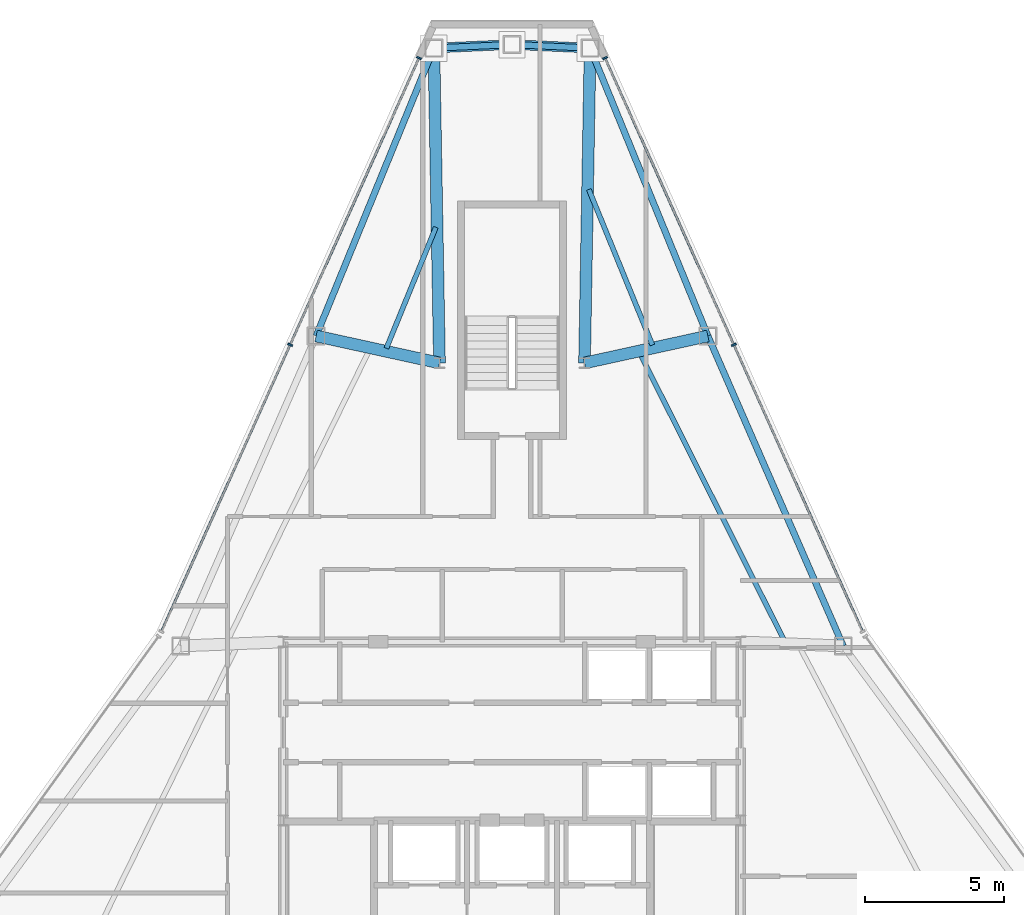
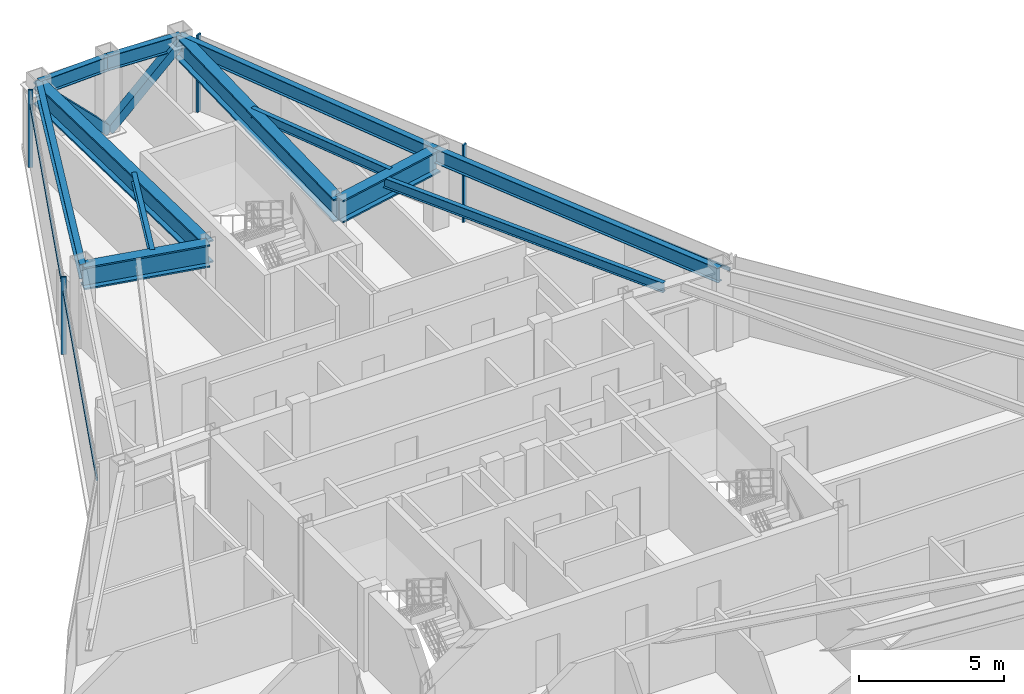
# One storey, part 7 of 12: 12 beams, 8 members, 2 elements without a shape of their own.
"""IFC4 building model written with IfcOpenShell, lengths in metres."""

import ifcopenshell
import ifcopenshell.guid

model = None  # the IFC model being written
_history = None  # IfcOwnerHistory: only IFC2X3 demands one
_inside = {}  # id of a spatial element -> (the spatial element, [elements in it])
_under = {}  # id of a project, library or spatial element -> (it, [spatial elements below it])
_declared = {}  # id of a project -> (the project, [libraries it declares])
_typed = {}  # id of a type object -> (the type object, [elements of that type])
_made_of = {}  # id of a material, layer set ... -> (it, [elements and type objects made of it])


def new_model(schema):
    """Start an empty IFC model of exactly this schema.

    Asked for "IFC4X3", IfcOpenShell would pick the latest addendum, in which some entities
    have other attributes; the version numbers below select the first issue.
    IFC2X3 requires an IfcOwnerHistory on every rooted entity: one is made here for all.
    """
    global model, _history
    if schema == "IFC4X3":
        model = ifcopenshell.file(schema_version=(4, 3, 0, 0))
    else:
        model = ifcopenshell.file(schema=schema)
    _inside.clear()
    _under.clear()
    _declared.clear()
    _typed.clear()
    _made_of.clear()
    _history = None
    if model.schema == "IFC2X3":
        org = make("IfcOrganization", Name="unknown")
        user = make(
            "IfcPersonAndOrganization",
            ThePerson=make("IfcPerson", FamilyName="unknown"),
            TheOrganization=org,
        )
        app = make(
            "IfcApplication",
            ApplicationDeveloper=org,
            Version="unknown",
            ApplicationFullName="unknown",
            ApplicationIdentifier="unknown",
        )
        _history = make(
            "IfcOwnerHistory",
            OwningUser=user,
            OwningApplication=app,
            ChangeAction="ADDED",
            CreationDate=0,
        )
    return model


def make(cls, **values):
    """One entity of the class cls with the attributes given. An attribute that is None is left unset."""
    return model.create_entity(
        cls, **{name: value for name, value in values.items() if value is not None}
    )


def rooted(cls, **values):
    """An entity with a GlobalId (a new one), such as an element, a storey or a relation."""
    return make(cls, GlobalId=ifcopenshell.guid.new(), OwnerHistory=_history, **values)


def si_unit(unit_type, name, prefix=None):
    """IfcSIUnit, for example si_unit("LENGTHUNIT", "METRE", prefix="MILLI")."""
    return make("IfcSIUnit", UnitType=unit_type, Prefix=prefix, Name=name)


def assignment(units):
    """IfcUnitAssignment: the units of a project."""
    return None if units is None else make("IfcUnitAssignment", Units=units)


def point(xyz):
    """IfcCartesianPoint."""
    return None if xyz is None else make("IfcCartesianPoint", Coordinates=xyz)


def direction(xyz):
    """IfcDirection."""
    return None if xyz is None else make("IfcDirection", DirectionRatios=xyz)


def frame(location, z_axis=None, x_axis=None):
    """IfcAxis2Placement3D, a coordinate frame: its origin and axes. An axis left out is left unset."""
    return make(
        "IfcAxis2Placement3D",
        Location=point(location),
        Axis=direction(z_axis),
        RefDirection=direction(x_axis),
    )


def frame_2d(location, x_axis=None):
    """IfcAxis2Placement2D, a coordinate frame in the plane: its origin and x axis."""
    return make(
        "IfcAxis2Placement2D", Location=point(location), RefDirection=direction(x_axis)
    )


def origin():
    """The frame at (0, 0, 0) with its axes left unset."""
    return frame((0.0, 0.0, 0.0))


def origin_2d():
    """The frame at (0, 0) in the plane with its x axis left unset."""
    return frame_2d((0.0, 0.0))


def place(relative_to, where):
    """IfcLocalPlacement: puts the frame where relative to a parent placement (None: the world)."""
    return make(
        "IfcLocalPlacement", PlacementRelTo=relative_to, RelativePlacement=where
    )


def context(
    kind, dimensions, precision=None, world=None, true_north=None, identifier=None
):
    """IfcGeometricRepresentationContext, for example the 3D "Model" context."""
    return make(
        "IfcGeometricRepresentationContext",
        ContextIdentifier=identifier,
        ContextType=kind,
        CoordinateSpaceDimension=dimensions,
        Precision=precision,
        WorldCoordinateSystem=world,
        TrueNorth=true_north,
    )


def subcontext(parent, identifier, kind, view, scale=None):
    """IfcGeometricRepresentationSubContext, for example "Body" below "Model"."""
    return make(
        "IfcGeometricRepresentationSubContext",
        ContextIdentifier=identifier,
        ContextType=kind,
        ParentContext=parent,
        TargetScale=scale,
        TargetView=view,
    )


def project(units=None, contexts=None):
    """IfcProject with its units and contexts."""
    return rooted(
        "IfcProject",
        Name="project",
        RepresentationContexts=contexts,
        UnitsInContext=assignment(units),
    )


def spatial(cls, under=None, at=None, **own):
    """A site, building, storey or space (cls), placed at a placement, below another one or the project."""
    s = rooted(cls, ObjectPlacement=at, **own)
    if under is not None:
        _under.setdefault(under.id(), (under, []))[1].append(s)
    return s


def profile(cls, at=None, kind="AREA", **sizes):
    """A parametric profile (cls). Its sizes go by their IFC names, for example OverallWidth=200.0."""
    return make(cls, ProfileType=kind, Position=at, **sizes)


def rectangle(**sizes):
    """IfcRectangleProfileDef."""
    return profile("IfcRectangleProfileDef", **sizes)


def hollow_rectangle(**sizes):
    """IfcRectangleHollowProfileDef."""
    return profile("IfcRectangleHollowProfileDef", **sizes)


def i_section(**sizes):
    """IfcIShapeProfileDef."""
    return profile("IfcIShapeProfileDef", **sizes)


def extrude(swept, where, along, depth):
    """IfcExtrudedAreaSolid: the profile swept, set in the frame where, extruded along a direction by depth."""
    return make(
        "IfcExtrudedAreaSolid",
        SweptArea=swept,
        Position=where,
        ExtrudedDirection=direction(along),
        Depth=depth,
    )


def shape(context_of_items, identifier, shape_type, items):
    """IfcShapeRepresentation: the items that make up one representation, for example the "Body"."""
    return make(
        "IfcShapeRepresentation",
        ContextOfItems=context_of_items,
        RepresentationIdentifier=identifier,
        RepresentationType=shape_type,
        Items=items,
    )


def source(mapping_origin, context_of_items, identifier, shape_type, items):
    """IfcRepresentationMap: a shape defined once, which mapped items show again and again."""
    return make(
        "IfcRepresentationMap",
        MappingOrigin=mapping_origin,
        MappedRepresentation=shape(context_of_items, identifier, shape_type, items),
    )


def transform(
    local_origin,
    x_axis=None,
    y_axis=None,
    z_axis=None,
    scale=None,
    scale2=None,
    scale3=None,
    uniform=True,
):
    """IfcCartesianTransformationOperator3D, or its non-uniform kind. x_axis, y_axis, z_axis: its Axis1, 2, 3."""
    if uniform:
        return make(
            "IfcCartesianTransformationOperator3D",
            Axis1=direction(x_axis),
            Axis2=direction(y_axis),
            LocalOrigin=point(local_origin),
            Scale=scale,
            Axis3=direction(z_axis),
        )
    return make(
        "IfcCartesianTransformationOperator3DnonUniform",
        Axis1=direction(x_axis),
        Axis2=direction(y_axis),
        LocalOrigin=point(local_origin),
        Scale=scale,
        Axis3=direction(z_axis),
        Scale2=scale2,
        Scale3=scale3,
    )


def mapped(mapping_source, mapping_target):
    """IfcMappedItem: shows the shape of a source again, moved by a transform."""
    return make(
        "IfcMappedItem", MappingSource=mapping_source, MappingTarget=mapping_target
    )


def material(Name=None, Category=None):
    """IfcMaterial."""
    return make("IfcMaterial", Name=Name, Category=Category)


def layer(
    of_material, thickness, ventilated=None, Name=None, Category=None, Priority=None
):
    """IfcMaterialLayer: one layer of a wall or slab, of a material (None: an air gap)."""
    return make(
        "IfcMaterialLayer",
        Material=of_material,
        LayerThickness=thickness,
        IsVentilated=ventilated,
        Name=Name,
        Category=Category,
        Priority=Priority,
    )


def layer_set(layers, Name=None):
    """IfcMaterialLayerSet."""
    return make("IfcMaterialLayerSet", MaterialLayers=layers, LayerSetName=Name)


def material_profile(
    of_material, cross_section, Name=None, Category=None, Priority=None
):
    """IfcMaterialProfile: a cross section and its material."""
    return make(
        "IfcMaterialProfile",
        Name=Name,
        Material=of_material,
        Profile=cross_section,
        Priority=Priority,
        Category=Category,
    )


def profile_set(profiles, Name=None, composite=None):
    """IfcMaterialProfileSet."""
    return make(
        "IfcMaterialProfileSet",
        Name=Name,
        MaterialProfiles=profiles,
        CompositeProfile=composite,
    )


def made_of(thing, what):
    """Note that an element or type object is made of a material, layer set ...; save() writes the relation."""
    if what is not None:
        _made_of.setdefault(what.id(), (what, []))[1].append(thing)
    return thing


def type_object(cls, material=None, **own):
    """A type object (cls), such as IfcWallType, which elements share."""
    return made_of(rooted(cls, **own), material)


def type_shapes(of_type, sources):
    """Give a type object the sources (RepresentationMaps) that its elements show as mapped items."""
    of_type.RepresentationMaps = sources


def element(
    cls,
    number,
    at=None,
    inside=None,
    cuts=None,
    type_object=None,
    material=None,
    context=None,
    identifier="Body",
    shape_type=None,
    held_by="IfcProductDefinitionShape",
    body=None,
    shapes=None,
    **own,
):
    """One element of the class cls, such as IfcWall. Its Tag is "e" and its number.

    at: its placement. inside: the storey or other place that contains it. cuts: it is an
    opening in that element (IfcRelVoidsElement). A single representation is given by context,
    identifier, shape_type and body (its items); several are given by shapes. held_by: the class
    of the entity that holds the representations. save() writes the other relations.
    """
    e = rooted(cls, Tag="e%d" % number, ObjectPlacement=at, **own)
    if body is not None:
        shapes = [shape(context, identifier, shape_type, body)]
    if shapes is not None:
        e.Representation = make(held_by, Representations=shapes)
    if inside is not None:
        _inside.setdefault(inside.id(), (inside, []))[1].append(e)
    if cuts is not None:
        rooted(
            "IfcRelVoidsElement", RelatingBuildingElement=cuts, RelatedOpeningElement=e
        )
    if type_object is not None:
        _typed.setdefault(type_object.id(), (type_object, []))[1].append(e)
    return made_of(e, material)


def aggregate(whole, parts):
    """IfcRelAggregates: a whole, such as a stair, and the parts it consists of."""
    return rooted("IfcRelAggregates", RelatingObject=whole, RelatedObjects=parts)


def save(model, path):
    """Write the relations noted so far, then the file.

    IfcRelAggregates (storeys below a building ...), IfcRelContainedInSpatialStructure (elements
    in a storey), IfcRelDefinesByType, IfcRelAssociatesMaterial and IfcRelDeclares: one each for
    every whole, place, type object, material and project.
    """
    for whole, parts in _under.values():
        aggregate(whole, parts)
    for where, things in _inside.values():
        rooted(
            "IfcRelContainedInSpatialStructure",
            RelatedElements=things,
            RelatingStructure=where,
        )
    for kind, things in _typed.values():
        rooted("IfcRelDefinesByType", RelatedObjects=things, RelatingType=kind)
    for what, things in _made_of.values():
        rooted("IfcRelAssociatesMaterial", RelatedObjects=things, RelatingMaterial=what)
    for by, libraries in _declared.values():
        rooted("IfcRelDeclares", RelatingContext=by, RelatedDefinitions=libraries)
    model.write(path)


model = new_model("IFC4")

# Units and contexts
model_context = context("Model", 3, precision=1e-05, world=origin(), true_north=direction((0.0, 1.0)))
body_context = subcontext(model_context, "Body", "Model", "MODEL_VIEW")
ifc_project = project(units=[si_unit("LENGTHUNIT", "METRE"), si_unit("AREAUNIT", "SQUARE_METRE"), si_unit("VOLUMEUNIT", "CUBIC_METRE"), si_unit("PLANEANGLEUNIT", "RADIAN"), si_unit("MASSUNIT", "GRAM", prefix="KILO")], contexts=[model_context])

# Site, building, storey
site_placement = place(None, origin())
site = spatial("IfcSite", under=ifc_project, at=site_placement, CompositionType="ELEMENT")
building_placement = place(site_placement, origin())
building = spatial("IfcBuilding", under=site, at=building_placement, Name="Varakhsha Concourse Tower", CompositionType="ELEMENT")
storey_placement = place(building_placement, frame((0.0, 0.0, 258.5)))
storey = spatial("IfcBuildingStorey", under=building, at=storey_placement, Name="L73", CompositionType="ELEMENT", Elevation=258.5)

# Beams
ifc_material_1 = material(Name="Structural Steel ASTM A992 Grade 50", Category="steel")
ifc_material_profile_1 = material_profile(ifc_material_1, i_section(OverallWidth=0.177978515625, OverallDepth=0.406982421875, WebThickness=0.008056640625, FlangeThickness=0.012939453125, at=origin_2d()), Name="W16X40")
ifc_profile_set_1 = profile_set([ifc_material_profile_1], Name="Structural Steel ASTM A992 Grade 50")
beam_type_1 = type_object("IfcBeamType", Name="BM-JST-W16X40", PredefinedType="JOIST", material=ifc_profile_set_1)
beam_1_placement = place(storey_placement, frame((37.270263671875, 46.06591796875, 3.04638671875), z_axis=(-0.378645015477, -0.925541977576, 0.0), x_axis=(0.925541977576, -0.378645015477, 0.0)))
element("IfcBeam", 1, at=beam_1_placement, inside=storey, type_object=beam_type_1, Name="BM-TJST-L73-03", PredefinedType="JOIST", context=body_context, shape_type="SweptSolid", body=[
    extrude(i_section(OverallWidth=0.177978515625, OverallDepth=0.406982421875, WebThickness=0.008056640625, FlangeThickness=0.012939453125, at=origin_2d()), origin(), (0.0, 0.0, 1.0), 4.686767578125),
])
beam_2_placement = place(storey_placement, frame((49.767333984375, 31.23486328125, 3.04638671875), z_axis=(-0.448984495449, 0.893539547444, 0.0), x_axis=(-0.893539547444, -0.448984495449, 0.0)))
element("IfcBeam", 2, at=beam_2_placement, inside=storey, type_object=beam_type_1, Name="BM-TJST-L73-17", PredefinedType="JOIST", context=body_context, shape_type="SweptSolid", body=[
    extrude(i_section(OverallWidth=0.177978515625, OverallDepth=0.406982421875, WebThickness=0.008056640625, FlangeThickness=0.012939453125, at=origin_2d()), origin(), (0.0, 0.0, 1.0), 11.51953125),
])
beam_3_placement = place(storey_placement, frame((45.034912109375, 41.84423828125, 3.04638671875), z_axis=(-0.378596554977, 0.925561801588, 0.0), x_axis=(-0.925561801588, -0.378596554977, 0.0)))
element("IfcBeam", 3, at=beam_3_placement, inside=storey, type_object=beam_type_1, Name="BM-TJST-L73-18", PredefinedType="JOIST", context=body_context, shape_type="SweptSolid", body=[
    extrude(i_section(OverallWidth=0.177978515625, OverallDepth=0.406982421875, WebThickness=0.008056640625, FlangeThickness=0.012939453125, at=origin_2d()), origin(), (0.0, 0.0, 1.0), 6.02490234375),
])
ifc_material_profile_2 = material_profile(ifc_material_1, i_section(OverallWidth=0.423095703125, OverallDepth=0.947998046875, WebThickness=0.0380859375, FlangeThickness=0.06396484375, at=origin_2d()), Name="W36X302")
ifc_profile_set_2 = profile_set([ifc_material_profile_2], Name="Structural Steel ASTM A992 Grade 50")
beam_type_2 = type_object("IfcBeamType", Name="BM-OUTR-W36X302", PredefinedType="USERDEFINED", material=ifc_profile_set_2)
for number, where, z_axis, x_axis, name in (
    (4, (42.60009765625, 41.199951171875, 2.77587890625), (0.017729243063, 0.999842824618, 0.0), (-0.999842824618, 0.017729243063, 0.0), "L73 Radial Floor Girder 01"),
    (5, (37.39990234375, 41.199951171875, 2.77587890625), (-0.017729243063, 0.999842824618, 0.0), (-0.999842824618, -0.017729243063, 0.0), "L73 Radial Floor Girder 03"),
):
    element("IfcBeam", number, at=place(storey_placement, frame(where, z_axis=z_axis, x_axis=x_axis)), inside=storey, type_object=beam_type_2, Name=name, ObjectType="GIRDER", PredefinedType="USERDEFINED", context=body_context, shape_type="SweptSolid", body=[
        extrude(i_section(OverallWidth=0.423095703125, OverallDepth=0.947998046875, WebThickness=0.0380859375, FlangeThickness=0.06396484375, at=origin_2d()), origin(), (0.0, 0.0, 1.0), 11.291748046875),
    ])
for number, where, z_axis, x_axis, name in (
    (6, (37.39990234375, 41.199951171875, 2.77587890625), (-0.976839822621, 0.213971869509, 0.0), (-0.213971869509, -0.976839822621, 0.0), "L73 Radial Floor Girder 04"),
    (7, (42.60009765625, 41.199951171875, 2.77587890625), (0.976839822621, 0.213971869509, 0.0), (-0.213971869509, 0.976839822621, 0.0), "L73 Radial Floor Girder 18"),
):
    element("IfcBeam", number, at=place(storey_placement, frame(where, z_axis=z_axis, x_axis=x_axis)), inside=storey, type_object=beam_type_2, Name=name, ObjectType="GIRDER", PredefinedType="USERDEFINED", context=body_context, shape_type="SweptSolid", body=[
        extrude(i_section(OverallWidth=0.423095703125, OverallDepth=0.947998046875, WebThickness=0.0380859375, FlangeThickness=0.06396484375, at=origin_2d()), origin(), (0.0, 0.0, 1.0), 4.52734375),
    ])
ifc_material_profile_3 = material_profile(ifc_material_1, i_section(OverallWidth=0.22900390625, OverallDepth=0.612060546875, WebThickness=0.011962890625, FlangeThickness=0.02001953125, at=origin_2d()), Name="W24X84")
ifc_profile_set_3 = profile_set([ifc_material_profile_3], Name="Structural Steel ASTM A992 Grade 50")
beam_type_3 = type_object("IfcBeamType", Name="BM-SPAN-W24X84", PredefinedType="SPANDREL", material=ifc_profile_set_3)
for number, where, z_axis, x_axis, name in (
    (8, (42.80029296875, 52.489990234375, 2.944091796875), (-0.998969976315, 0.045376055594, 0.0), (-0.045376055594, -0.998969976315, 0.0), "BM-SPAN-L73-01"),
    (9, (40.0, 52.6171875, 2.944091796875), (-0.998969976315, -0.045376055594, 0.0), (0.045376055594, -0.998969976315, 0.0), "BM-SPAN-L73-02"),
):
    element("IfcBeam", number, at=place(storey_placement, frame(where, z_axis=z_axis, x_axis=x_axis)), inside=storey, type_object=beam_type_3, Name=name, PredefinedType="SPANDREL", context=body_context, shape_type="SweptSolid", body=[
        extrude(i_section(OverallWidth=0.22900390625, OverallDepth=0.612060546875, WebThickness=0.011962890625, FlangeThickness=0.02001953125, at=origin_2d()), origin(), (0.0, 0.0, 1.0), 2.80322265625),
    ])
beam_4_placement = place(storey_placement, frame((37.19970703125, 52.489990234375, 2.944091796875), z_axis=(-0.37863796052, -0.925544863771, 0.0), x_axis=(0.925544863771, -0.37863796052, 0.0)))
element("IfcBeam", 10, at=beam_4_placement, inside=storey, type_object=beam_type_3, Name="BM-SPAN-L73-03", PredefinedType="SPANDREL", context=body_context, shape_type="SweptSolid", body=[
    extrude(i_section(OverallWidth=0.22900390625, OverallDepth=0.612060546875, WebThickness=0.011962890625, FlangeThickness=0.02001953125, at=origin_2d()), origin(), (0.0, 0.0, 1.0), 11.151611328125),
])
beam_5_placement = place(storey_placement, frame((51.874267578125, 31.0556640625, 2.944091796875), z_axis=(-0.400099437724, 0.916471734388, 0.0), x_axis=(-0.916471734388, -0.400099437724, 0.0)))
element("IfcBeam", 11, at=beam_5_placement, inside=storey, type_object=beam_type_3, Name="BM-SPAN-L73-17", PredefinedType="SPANDREL", context=body_context, shape_type="SweptSolid", body=[
    extrude(i_section(OverallWidth=0.22900390625, OverallDepth=0.612060546875, WebThickness=0.011962890625, FlangeThickness=0.02001953125, at=origin_2d()), origin(), (0.0, 0.0, 1.0), 12.1259765625),
])
beam_6_placement = place(storey_placement, frame((47.022705078125, 42.168701171875, 2.944091796875), z_axis=(-0.37863796052, 0.925544863771, 0.0), x_axis=(-0.925544863771, -0.37863796052, 0.0)))
element("IfcBeam", 12, at=beam_6_placement, inside=storey, type_object=beam_type_3, Name="BM-SPAN-L73-18", PredefinedType="SPANDREL", context=body_context, shape_type="SweptSolid", body=[
    extrude(i_section(OverallWidth=0.22900390625, OverallDepth=0.612060546875, WebThickness=0.011962890625, FlangeThickness=0.02001953125, at=origin_2d()), origin(), (0.0, 0.0, 1.0), 11.151611328125),
])

# Members
ifc_material_2 = material(Name="Structural Steel ASTM A500 Grade C", Category="steel")
ifc_material_profile_4 = material_profile(ifc_material_2, hollow_rectangle(XDim=0.35009765625, YDim=0.35009765625, WallThickness=0.01611328125, at=origin_2d()), Name="HSS 350x350x16")
ifc_profile_set_4 = profile_set([ifc_material_profile_4], Name="Structural Steel ASTM A500 Grade C")
member_type_1 = type_object("IfcMemberType", Name="MB-TUBE-HSS350", PredefinedType="BRACE", material=ifc_profile_set_4)
shared_shape_1 = source(origin(), body_context, "Body", "SweptSolid", [
    extrude(hollow_rectangle(XDim=0.35009765625, YDim=0.35009765625, WallThickness=0.01611328125, at=origin_2d()), origin(), (0.0, 0.0, 1.0), 3.983154296875),
])
type_shapes(member_type_1, [shared_shape_1])
for number, where, z_axis, x_axis, name in (
    (13, (40.0, 52.6171875, 0.1201171875), (0.703028211157, -0.031933539495, 0.710444637796), (0.045376055594, 0.998969976315, 0.0), "L73 Wind-Corner Tube Brace B01"),
    (14, (40.0, 52.6171875, 0.1201171875), (-0.703028211157, -0.031933539495, 0.710444637796), (0.045376055594, -0.998969976315, 0.0), "L73 Wind-Corner Tube Brace B02"),
):
    element("IfcMember", number, at=place(storey_placement, frame(where, z_axis=z_axis, x_axis=x_axis)), inside=storey, type_object=member_type_1, Name=name, PredefinedType="BRACE", context=body_context, shape_type="MappedRepresentation", body=[
        mapped(shared_shape_1, transform((0.0, 0.0, 0.0), scale=1.0)),
    ])

# Curtain wall, members
ifc_material_3 = material(Name="Anodised Bronze Architectural Aluminium AA 6063-T6", Category="aluminium")
ifc_layer = layer(ifc_material_3, 0.199951171875, Name="CW-SYS-05")
ifc_layer_set = layer_set([ifc_layer], Name="Anodised Bronze Architectural Aluminium AA 6063-T6")
curtain_wall_type = type_object("IfcCurtainWallType", Name="CW-SYS-05", PredefinedType="NOTDEFINED", material=ifc_layer_set)
curtain_wall_1_placement = place(storey_placement, origin())
curtain_wall_1 = element("IfcCurtainWall", 15, at=curtain_wall_1_placement, inside=storey, type_object=curtain_wall_type, Name="L73 Crystal Curtain Wall F2", PredefinedType="NOTDEFINED")
ifc_material_profile_5 = material_profile(ifc_material_3, rectangle(XDim=0.06494140625, YDim=0.179931640625, at=origin_2d()), Name="CWM-180X65")
ifc_profile_set_5 = profile_set([ifc_material_profile_5], Name="Anodised Bronze Architectural Aluminium AA 6063-T6")
member_type_2 = type_object("IfcMemberType", Name="CWM-180X65", PredefinedType="MULLION", material=ifc_profile_set_5)
shared_shape_2 = source(origin(), body_context, "Body", "SweptSolid", [
    extrude(rectangle(XDim=0.06494140625, YDim=0.179931640625, at=origin_2d()), origin(), (0.0, 0.0, 1.0), 3.25),
])
type_shapes(member_type_2, [shared_shape_2])
member_1_placement = place(storey_placement, frame((32.046142578125, 41.8525390625, 0.0), z_axis=(0.0, 0.0, 1.0), x_axis=(0.409661937266, 0.912237412714, 0.0)))
member_1 = element("IfcMember", 16, at=member_1_placement, type_object=member_type_2, Name="CW-L73-F2 Mullion 01", PredefinedType="MULLION", context=body_context, shape_type="MappedRepresentation", body=[
    mapped(shared_shape_2, transform((0.0, 0.0, 0.0), scale=1.0)),
])
member_2_placement = place(storey_placement, frame((36.664306640625, 52.13623046875, 0.0), z_axis=(0.0, 0.0, 1.0), x_axis=(0.409661937266, 0.912237412714, 0.0)))
member_2 = element("IfcMember", 17, at=member_2_placement, type_object=member_type_2, Name="CW-L73-F2 Mullion 02", PredefinedType="MULLION", context=body_context, shape_type="MappedRepresentation", body=[
    mapped(shared_shape_2, transform((0.0, 0.0, 0.0), scale=1.0)),
])

curtain_wall_2_placement = place(storey_placement, origin())
curtain_wall_2 = element("IfcCurtainWall", 18, at=curtain_wall_2_placement, inside=storey, type_object=curtain_wall_type, Name="L73 Crystal Curtain Wall F9", PredefinedType="NOTDEFINED")
member_3_placement = place(storey_placement, frame((43.335693359375, 52.13623046875, 0.0), z_axis=(0.0, 0.0, 1.0), x_axis=(0.409661937266, -0.912237412714, 0.0)))
member_3 = element("IfcMember", 19, at=member_3_placement, type_object=member_type_2, Name="CW-L73-F9 Mullion 00", PredefinedType="MULLION", context=body_context, shape_type="MappedRepresentation", body=[
    mapped(shared_shape_2, transform((0.0, 0.0, 0.0), scale=1.0)),
])
member_4_placement = place(storey_placement, frame((47.953857421875, 41.8525390625, 0.0), z_axis=(0.0, 0.0, 1.0), x_axis=(0.409661937266, -0.912237412714, 0.0)))
member_4 = element("IfcMember", 20, at=member_4_placement, type_object=member_type_2, Name="CW-L73-F9 Mullion 01", PredefinedType="MULLION", context=body_context, shape_type="MappedRepresentation", body=[
    mapped(shared_shape_2, transform((0.0, 0.0, 0.0), scale=1.0)),
])

# Member
ifc_material_profile_6 = material_profile(ifc_material_3, rectangle(XDim=0.06005859375, YDim=0.139892578125, at=origin_2d()), Name="CWT-140X60")
ifc_profile_set_6 = profile_set([ifc_material_profile_6], Name="Anodised Bronze Architectural Aluminium AA 6063-T6")
member_type_3 = type_object("IfcMemberType", Name="CWT-140X60", PredefinedType="USERDEFINED", material=ifc_profile_set_6)
shared_shape_3 = source(origin(), body_context, "Body", "SweptSolid", [
    extrude(rectangle(XDim=0.06005859375, YDim=0.139892578125, at=origin_2d()), origin(), (0.0, 0.0, 1.0), 22.5458984375),
])
type_shapes(member_type_3, [shared_shape_3])
member_5_placement = place(storey_placement, frame((27.427978515625, 31.569091796875, 2.60009765625), z_axis=(0.40966801453, 0.91223468355, 0.0), x_axis=(-0.91223468355, 0.40966801453, 0.0)))
member_5 = element("IfcMember", 21, at=member_5_placement, type_object=member_type_3, Name="CW-L73-F2 Transom 01", ObjectType="TRANSOM", PredefinedType="USERDEFINED", context=body_context, shape_type="MappedRepresentation", body=[
    mapped(shared_shape_3, transform((0.0, 0.0, 0.0), scale=1.0)),
])

aggregate(curtain_wall_1, [member_1, member_2, member_5])

member_6_placement = place(storey_placement, frame((43.335693359375, 52.13623046875, 2.60009765625), z_axis=(0.40966801453, -0.91223468355, 0.0), x_axis=(0.91223468355, 0.40966801453, 0.0)))
member_6 = element("IfcMember", 22, at=member_6_placement, type_object=member_type_3, Name="CW-L73-F9 Transom 01", ObjectType="TRANSOM", PredefinedType="USERDEFINED", context=body_context, shape_type="MappedRepresentation", body=[
    mapped(shared_shape_3, transform((0.0, 0.0, 0.0), scale=1.0)),
])

aggregate(curtain_wall_2, [member_3, member_4, member_6])

save(model, "model.ifc")
